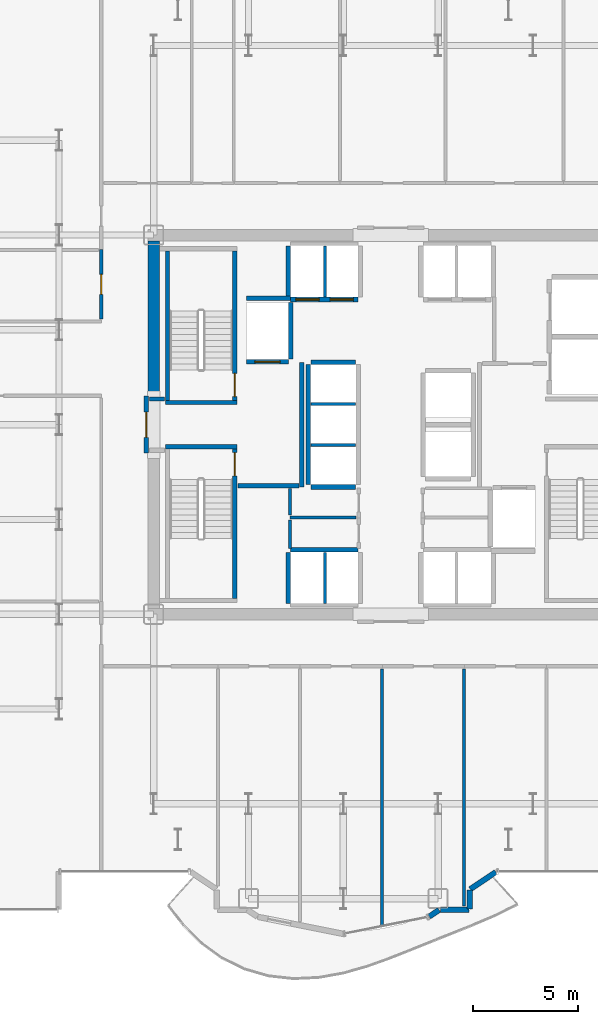
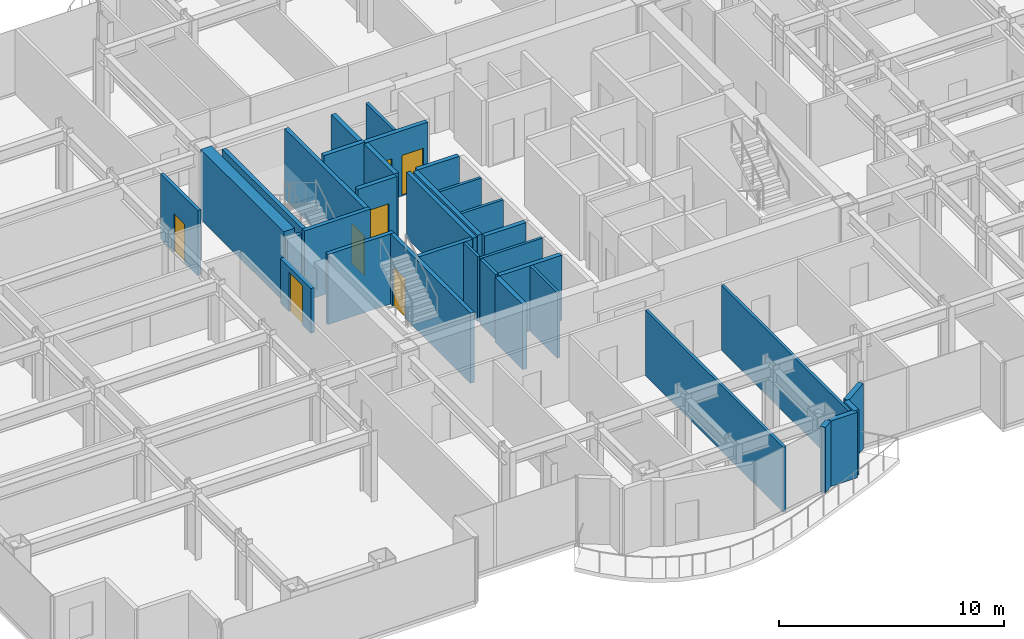
# One storey, part 23 of 29: 34 walls, 7 doors, 7 openings.
"""IFC4 building model written with IfcOpenShell, lengths in metres."""

from ifc_helpers import new_model, si_unit, direction, frame, frame_2d, origin, place, context, subcontext, project, spatial, rectangle, extrude, source, transform, mapped, material, layer, layer_set, type_object, element, fill, save


model = new_model("IFC4")

# Units and contexts
model_context = context("Model", 3, precision=1e-05, world=origin(), true_north=direction((0.0, 1.0)))
body_context = subcontext(model_context, "Body", "Model", "MODEL_VIEW")
ifc_project = project(units=[si_unit("LENGTHUNIT", "METRE"), si_unit("AREAUNIT", "SQUARE_METRE"), si_unit("VOLUMEUNIT", "CUBIC_METRE"), si_unit("PLANEANGLEUNIT", "RADIAN"), si_unit("MASSUNIT", "GRAM", prefix="KILO")], contexts=[model_context])

# Site, building, storey
site_placement = place(None, origin())
site = spatial("IfcSite", under=ifc_project, at=site_placement, CompositionType="ELEMENT")
building_placement = place(site_placement, origin())
building = spatial("IfcBuilding", under=site, at=building_placement, Name="Nefas-Gora Pilgrimage Tower", CompositionType="ELEMENT")
storey_placement = place(building_placement, frame((0.0, 0.0, 90.800048828125)))
storey = spatial("IfcBuildingStorey", under=building, at=storey_placement, Name="L21", CompositionType="ELEMENT", Elevation=90.800048828125)

# Walls
ifc_material_1 = material(Name="Concrete C60/75", Category="concrete")
ifc_layer_1 = layer(ifc_material_1, 0.550048828125)
ifc_layer_set_1 = layer_set([ifc_layer_1], Name="Concrete C60/75")
wall_type_1 = type_object("IfcWallType", Name="SW-CORE-550", PredefinedType="SHEAR", material=ifc_layer_set_1)
shared_shape_1 = source(origin(), body_context, "Body", "SweptSolid", [
    extrude(rectangle(XDim=7.375, YDim=0.550048828125, at=frame_2d((3.6875, 0.0))), origin(), (0.0, 0.0, 1.0), 3.800048828125),
])
wall_1_placement = place(storey_placement, frame((-11.25, 1.35009765625, 0.0), z_axis=(0.0, 0.0, 1.0), x_axis=(0.0, 1.0, 0.0)))
element("IfcWall", 1, at=wall_1_placement, inside=storey, type_object=wall_type_1, Name="L21 Core Shear Wall W-North", PredefinedType="SHEAR", context=body_context, shape_type="MappedRepresentation", body=[
    mapped(shared_shape_1, transform((0.0, 0.0, 0.0), x_axis=(1.0, 0.0, 0.0), y_axis=(0.0, 1.0, 0.0), z_axis=(0.0, 0.0, 1.0), scale=1.0)),
])
ifc_material_2 = material(Name="Precast concrete C40/50", Category="concrete")
ifc_layer_2 = layer(ifc_material_2, 0.260009765625)
ifc_layer_set_2 = layer_set([ifc_layer_2], Name="Precast concrete C40/50")
wall_type_2 = type_object("IfcWallType", Name="EW-PORTAL-260", PredefinedType="SOLIDWALL", material=ifc_layer_set_2)
shared_shape_2 = source(origin(), body_context, "Body", "SweptSolid", [
    extrude(rectangle(XDim=1.468994140625, YDim=0.260009765625, at=frame_2d((0.734375, 0.0))), origin(), (0.0, 0.0, 1.0), 3.550048828125),
])
wall_2_placement = place(storey_placement, frame((3.773193359375, -22.0517578125, 0.0), z_axis=(0.0, 0.0, 1.0), x_axis=(0.831461760506, 0.555581983884, 0.0)))
element("IfcWall", 2, at=wall_2_placement, inside=storey, type_object=wall_type_2, Name="L21 Lobe Shoulder Precast Spandrel Pier 42", PredefinedType="SOLIDWALL", context=body_context, shape_type="MappedRepresentation", body=[
    mapped(shared_shape_2, transform((0.0, 0.0, 0.0), x_axis=(1.0, 0.0, 0.0), y_axis=(0.0, 1.0, 0.0), z_axis=(0.0, 0.0, 1.0), scale=1.0)),
])
shared_shape_3 = source(origin(), body_context, "Body", "SweptSolid", [
    extrude(rectangle(XDim=0.896728515625, YDim=0.260009765625, at=frame_2d((0.4482421875, 0.0))), origin(), (0.0, 0.0, 1.0), 3.550048828125),
])
wall_3_placement = place(storey_placement, frame((3.75, -22.991943359375, 0.0), z_axis=(0.0, 0.0, 1.0), x_axis=(0.0, 1.0, 0.0)))
element("IfcWall", 3, at=wall_3_placement, inside=storey, type_object=wall_type_2, Name="L21 Lobe Shoulder Precast Spandrel Pier 41", PredefinedType="SOLIDWALL", context=body_context, shape_type="MappedRepresentation", body=[
    mapped(shared_shape_3, transform((0.0, 0.0, 0.0), x_axis=(1.0, 0.0, 0.0), y_axis=(0.0, 1.0, 0.0), z_axis=(0.0, 0.0, 1.0), scale=1.0)),
])
shared_shape_4 = source(origin(), body_context, "Body", "SweptSolid", [
    extrude(rectangle(XDim=1.369873046875, YDim=0.260009765625, at=frame_2d((0.68505859375, 0.0))), origin(), (0.0, 0.0, 1.0), 3.550048828125),
])
wall_4_placement = place(storey_placement, frame((2.35205078125, -23.02001953125, 0.0), z_axis=(0.0, 0.0, 1.0), x_axis=(1.0, 0.0, 0.0)))
element("IfcWall", 4, at=wall_4_placement, inside=storey, type_object=wall_type_2, Name="L21 Lobe Shoulder Precast Spandrel Pier 40", PredefinedType="SOLIDWALL", context=body_context, shape_type="MappedRepresentation", body=[
    mapped(shared_shape_4, transform((0.0, 0.0, 0.0), x_axis=(1.0, 0.0, 0.0), y_axis=(0.0, 1.0, 0.0), z_axis=(0.0, 0.0, 1.0), scale=1.0)),
])
shared_shape_5 = source(origin(), body_context, "Body", "SweptSolid", [
    extrude(rectangle(XDim=0.5654296875, YDim=0.260009765625, at=frame_2d((0.28271484375, 0.0))), origin(), (0.0, 0.0, 1.0), 3.550048828125),
])
wall_5_placement = place(storey_placement, frame((1.83056640625, -23.349609375, 0.0), z_axis=(0.0, 0.0, 1.0), x_axis=(0.831651492666, 0.555297933317, 0.0)))
element("IfcWall", 5, at=wall_5_placement, inside=storey, type_object=wall_type_2, Name="L21 Lobe Shoulder Precast Spandrel Pier 39", PredefinedType="SOLIDWALL", context=body_context, shape_type="MappedRepresentation", body=[
    mapped(shared_shape_5, transform((0.0, 0.0, 0.0), x_axis=(1.0, 0.0, 0.0), y_axis=(0.0, 1.0, 0.0), z_axis=(0.0, 0.0, 1.0), scale=1.0)),
])
ifc_material_3 = material(Name="Concrete C45/55", Category="concrete")
ifc_layer_3 = layer(ifc_material_3, 0.199951171875)
ifc_layer_set_3 = layer_set([ifc_layer_3], Name="Concrete C45/55")
wall_type_3 = type_object("IfcWallType", Name="IW-STAIR-200", PredefinedType="SOLIDWALL", material=ifc_layer_set_3)
shared_shape_6 = source(origin(), body_context, "Body", "SweptSolid", [
    extrude(rectangle(XDim=3.39990234375, YDim=0.199951171875, at=frame_2d((1.699951171875, 0.0))), origin(), (0.0, 0.0, 1.0), 3.800048828125),
])
for number, where, z_axis, x_axis, name in (
    (6, (-7.300048828125, 1.050048828125, 0.0), (0.0, 0.0, 1.0), (-1.0, 0.0, 0.0), "L21 Stairwell Shear Wall ST-01-near"),
    (7, (-10.699951171875, -1.050048828125, 0.0), (0.0, 0.0, 1.0), (1.0, 0.0, 0.0), "L21 Stairwell Shear Wall ST-03-near"),
):
    element("IfcWall", number, at=place(storey_placement, frame(where, z_axis=z_axis, x_axis=x_axis)), inside=storey, type_object=wall_type_3, Name=name, PredefinedType="SOLIDWALL", context=body_context, shape_type="MappedRepresentation", body=[
        mapped(shared_shape_6, transform((0.0, 0.0, 0.0), x_axis=(1.0, 0.0, 0.0), y_axis=(0.0, 1.0, 0.0), z_axis=(0.0, 0.0, 1.0), scale=1.0)),
    ])

# Wall, opening, door
shared_shape_7 = source(origin(), body_context, "Body", "SweptSolid", [
    extrude(rectangle(XDim=7.10009765625, YDim=0.199951171875, at=frame_2d((3.550048828125, 0.0))), origin(), (0.0, 0.0, 1.0), 3.800048828125),
])
wall_6_placement = place(storey_placement, frame((-7.39990234375, 1.14990234375, 0.0), z_axis=(0.0, 0.0, 1.0), x_axis=(0.0, 1.0, 0.0)))
wall_6 = element("IfcWall", 8, at=wall_6_placement, inside=storey, type_object=wall_type_3, Name="L21 Stairwell Shear Wall ST-01-left", PredefinedType="SOLIDWALL", context=body_context, shape_type="MappedRepresentation", body=[
    mapped(shared_shape_7, transform((0.0, 0.0, 0.0), x_axis=(1.0, 0.0, 0.0), y_axis=(0.0, 1.0, 0.0), z_axis=(0.0, 0.0, 1.0), scale=1.0)),
])
opening_1_placement = place(wall_6_placement, frame((0.179931640625, 0.0, 0.0)))
opening_1 = element("IfcOpeningElement", 9, at=opening_1_placement, cuts=wall_6, Name="Opening ID-ST1", PredefinedType="OPENING", context=body_context, shape_type="SweptSolid", body=[
    extrude(rectangle(XDim=1.10009765625, YDim=2.14990234375, at=frame_2d((0.550048828125, 1.074951171875))), frame((0.0, 0.10986328125, 0.0), z_axis=(0.0, -1.0, 0.0), x_axis=(1.0, 0.0, 0.0)), (0.0, 0.0, 1.0), 0.219970703125),
])
ifc_material_4 = material(Name="Painted galvanised steel fire stair door", Category="steel")
door_type_1 = type_object("IfcDoorType", Name="DR-INT-STAIR-1100", OperationType="NOTDEFINED", PredefinedType="DOOR", material=ifc_material_4)
shared_shape_8 = source(origin(), body_context, "Body", "SweptSolid", [
    extrude(rectangle(XDim=1.10009765625, YDim=2.14990234375, at=frame_2d((0.550048828125, 1.074951171875))), frame((0.0, 0.02490234375, 0.0), z_axis=(0.0, -1.0, 0.0), x_axis=(1.0, 0.0, 0.0)), (0.0, 0.0, 1.0), 0.050048828125),
])
door_1_placement = place(opening_1_placement, origin())
door_1 = element("IfcDoor", 10, at=door_1_placement, inside=storey, type_object=door_type_1, Name="L21 Protected Exit Stair Door ST-01", OperationType="SINGLE_SWING_LEFT", OverallHeight=2.14990234375, OverallWidth=1.10009765625, PredefinedType="DOOR", context=body_context, shape_type="MappedRepresentation", body=[
    mapped(shared_shape_8, transform((0.0, 0.0, 0.0), x_axis=(1.0, 0.0, 0.0), y_axis=(0.0, 1.0, 0.0), z_axis=(0.0, 0.0, 1.0), scale=1.0)),
])
fill(opening_1, door_1)

# Wall
wall_7_placement = place(storey_placement, frame((-10.60009765625, 1.14990234375, 0.0), z_axis=(0.0, 0.0, 1.0), x_axis=(0.0, 1.0, 0.0)))
element("IfcWall", 11, at=wall_7_placement, inside=storey, type_object=wall_type_3, Name="L21 Stairwell Shear Wall ST-01-right", PredefinedType="SOLIDWALL", context=body_context, shape_type="MappedRepresentation", body=[
    mapped(shared_shape_7, transform((0.0, 0.0, 0.0), x_axis=(1.0, 0.0, 0.0), y_axis=(0.0, 1.0, 0.0), z_axis=(0.0, 0.0, 1.0), scale=1.0)),
])

# Wall, opening, door
wall_8_placement = place(storey_placement, frame((-7.39990234375, -1.14990234375, 0.0), z_axis=(0.0, 0.0, 1.0), x_axis=(0.0, -1.0, 0.0)))
wall_8 = element("IfcWall", 12, at=wall_8_placement, inside=storey, type_object=wall_type_3, Name="L21 Stairwell Shear Wall ST-03-right", PredefinedType="SOLIDWALL", context=body_context, shape_type="MappedRepresentation", body=[
    mapped(shared_shape_7, transform((0.0, 0.0, 0.0), x_axis=(1.0, 0.0, 0.0), y_axis=(0.0, 1.0, 0.0), z_axis=(0.0, 0.0, 1.0), scale=1.0)),
])
opening_2_placement = place(wall_8_placement, frame((0.179931640625, 0.0, 0.0)))
opening_2 = element("IfcOpeningElement", 13, at=opening_2_placement, cuts=wall_8, Name="Opening ID-ST1", PredefinedType="OPENING", context=body_context, shape_type="SweptSolid", body=[
    extrude(rectangle(XDim=1.10009765625, YDim=2.14990234375, at=frame_2d((0.550048828125, 1.074951171875))), frame((0.0, 0.10986328125, 0.0), z_axis=(0.0, -1.0, 0.0), x_axis=(1.0, 0.0, 0.0)), (0.0, 0.0, 1.0), 0.219970703125),
])
door_2_placement = place(opening_2_placement, origin())
door_2 = element("IfcDoor", 14, at=door_2_placement, inside=storey, type_object=door_type_1, Name="L21 Protected Exit Stair Door ST-03", OperationType="SINGLE_SWING_LEFT", OverallHeight=2.14990234375, OverallWidth=1.10009765625, PredefinedType="DOOR", context=body_context, shape_type="MappedRepresentation", body=[
    mapped(shared_shape_8, transform((0.0, 0.0, 0.0), x_axis=(1.0, 0.0, 0.0), y_axis=(0.0, 1.0, 0.0), z_axis=(0.0, 0.0, 1.0), scale=1.0)),
])
fill(opening_2, door_2)

ifc_material_5 = material(Name="Concrete C40/50", Category="concrete")
ifc_layer_4 = layer(ifc_material_5, 0.219970703125)
ifc_layer_set_4 = layer_set([ifc_layer_4], Name="Concrete C40/50")
wall_type_4 = type_object("IfcWallType", Name="IW-SHAFT-220", PredefinedType="SOLIDWALL", material=ifc_layer_set_4)
shared_shape_9 = source(origin(), body_context, "Body", "SweptSolid", [
    extrude(rectangle(XDim=2.0, YDim=0.219970703125, at=frame_2d((1.0, 0.0))), origin(), (0.0, 0.0, 1.0), 3.534912109375),
])
wall_9_placement = place(storey_placement, frame((-6.85009765625, 2.989990234375, 0.0), z_axis=(0.0, 0.0, 1.0), x_axis=(1.0, 0.0, 0.0)))
wall_9 = element("IfcWall", 15, at=wall_9_placement, inside=storey, type_object=wall_type_4, Name="L21 Hoistway Wall FFL-01-S", PredefinedType="SOLIDWALL", context=body_context, shape_type="MappedRepresentation", body=[
    mapped(shared_shape_9, transform((0.0, 0.0, 0.0), x_axis=(1.0, 0.0, 0.0), y_axis=(0.0, 1.0, 0.0), z_axis=(0.0, 0.0, 1.0), scale=1.0)),
])
opening_3_placement = place(wall_9_placement, frame((0.39990234375, 0.0, 0.0)))
opening_3 = element("IfcOpeningElement", 16, at=opening_3_placement, cuts=wall_9, Name="Opening LD-FF", PredefinedType="OPENING", context=body_context, shape_type="SweptSolid", body=[
    extrude(rectangle(XDim=1.199951171875, YDim=2.199951171875, at=frame_2d((0.60009765625, 1.10009765625))), frame((0.0, 0.119873046875, 0.0), z_axis=(0.0, -1.0, 0.0), x_axis=(1.0, 0.0, 0.0)), (0.0, 0.0, 1.0), 0.239990234375),
])
ifc_material_6 = material(Name="Fire-service sliding lift landing door")
door_type_2 = type_object("IfcDoorType", Name="DR-LIFT-FSAE-1200", OperationType="SLIDING_TO_LEFT", PredefinedType="DOOR", material=ifc_material_6)
shared_shape_10 = source(origin(), body_context, "Body", "SweptSolid", [
    extrude(rectangle(XDim=1.199951171875, YDim=2.199951171875, at=frame_2d((0.60009765625, 1.10009765625))), frame((0.0, 0.02490234375, 0.0), z_axis=(0.0, -1.0, 0.0), x_axis=(1.0, 0.0, 0.0)), (0.0, 0.0, 1.0), 0.050048828125),
])
door_3_placement = place(opening_3_placement, origin())
door_3 = element("IfcDoor", 17, at=door_3_placement, inside=storey, type_object=door_type_2, Name="L21 Sliding Lift Landing Door FFL-01", OperationType="SLIDING_TO_LEFT", OverallHeight=2.199951171875, OverallWidth=1.199951171875, PredefinedType="DOOR", context=body_context, shape_type="MappedRepresentation", body=[
    mapped(shared_shape_10, transform((0.0, 0.0, 0.0), x_axis=(1.0, 0.0, 0.0), y_axis=(0.0, 1.0, 0.0), z_axis=(0.0, 0.0, 1.0), scale=1.0)),
])
fill(opening_3, door_3)

# Wall
shared_shape_11 = source(origin(), body_context, "Body", "SweptSolid", [
    extrude(rectangle(XDim=2.679931640625, YDim=0.219970703125, at=frame_2d((1.33984375, 0.0))), origin(), (0.0, 0.0, 1.0), 3.534912109375),
])
wall_10_placement = place(storey_placement, frame((-4.739990234375, 3.110107421875, 0.0), z_axis=(0.0, 0.0, 1.0), x_axis=(0.0, 1.0, 0.0)))
element("IfcWall", 18, at=wall_10_placement, inside=storey, type_object=wall_type_4, Name="L21 Hoistway Wall FFL-01-E", PredefinedType="SOLIDWALL", context=body_context, shape_type="MappedRepresentation", body=[
    mapped(shared_shape_11, transform((0.0, 0.0, 0.0), x_axis=(1.0, 0.0, 0.0), y_axis=(0.0, 1.0, 0.0), z_axis=(0.0, 0.0, 1.0), scale=1.0)),
])

# Wall, openings, doors
shared_shape_12 = source(origin(), body_context, "Body", "SweptSolid", [
    extrude(rectangle(XDim=3.199951171875, YDim=0.219970703125, at=frame_2d((1.60009765625, 0.0))), origin(), (0.0, 0.0, 1.0), 3.534912109375),
])
wall_11_placement = place(storey_placement, frame((-4.75, 5.93994140625, 0.0), z_axis=(0.0, 0.0, 1.0), x_axis=(1.0, 0.0, 0.0)))
wall_11 = element("IfcWall", 19, at=wall_11_placement, inside=storey, type_object=wall_type_4, Name="L21 Hoistway Wall PL1-W-S", PredefinedType="SOLIDWALL", context=body_context, shape_type="MappedRepresentation", body=[
    mapped(shared_shape_12, transform((0.0, 0.0, 0.0), x_axis=(1.0, 0.0, 0.0), y_axis=(0.0, 1.0, 0.0), z_axis=(0.0, 0.0, 1.0), scale=1.0)),
])
opening_4_placement = place(wall_11_placement, frame((0.25, 0.0, 0.0)))
opening_4 = element("IfcOpeningElement", 20, at=opening_4_placement, cuts=wall_11, Name="Opening LD-01", PredefinedType="OPENING", context=body_context, shape_type="SweptSolid", body=[
    extrude(rectangle(XDim=1.10009765625, YDim=2.199951171875, at=frame_2d((0.550048828125, 1.10009765625))), frame((0.0, 0.119873046875, 0.0), z_axis=(0.0, -1.0, 0.0), x_axis=(1.0, 0.0, 0.0)), (0.0, 0.0, 1.0), 0.239990234375),
])
opening_5_placement = place(wall_11_placement, frame((1.875, 0.0, 0.0)))
opening_5 = element("IfcOpeningElement", 21, at=opening_5_placement, cuts=wall_11, Name="Opening LD-01", PredefinedType="OPENING", context=body_context, shape_type="SweptSolid", body=[
    extrude(rectangle(XDim=1.10009765625, YDim=2.199951171875, at=frame_2d((0.550048828125, 1.10009765625))), frame((0.0, 0.119873046875, 0.0), z_axis=(0.0, -1.0, 0.0), x_axis=(1.0, 0.0, 0.0)), (0.0, 0.0, 1.0), 0.239990234375),
])
ifc_material_7 = material(Name="Brushed stainless sliding lift landing door")
door_type_3 = type_object("IfcDoorType", Name="DR-LIFT-PASS-1100", OperationType="DOUBLE_DOOR_SLIDING", PredefinedType="DOOR", material=ifc_material_7)
shared_shape_13 = source(origin(), body_context, "Body", "SweptSolid", [
    extrude(rectangle(XDim=1.10009765625, YDim=2.199951171875, at=frame_2d((0.550048828125, 1.10009765625))), frame((0.0, 0.02490234375, 0.0), z_axis=(0.0, -1.0, 0.0), x_axis=(1.0, 0.0, 0.0)), (0.0, 0.0, 1.0), 0.050048828125),
])
door_4_placement = place(opening_4_placement, origin())
door_4 = element("IfcDoor", 22, at=door_4_placement, inside=storey, type_object=door_type_3, Name="L21 Sliding Lift Landing Door PL1-01", OperationType="DOUBLE_DOOR_SLIDING", OverallHeight=2.199951171875, OverallWidth=1.10009765625, PredefinedType="DOOR", context=body_context, shape_type="MappedRepresentation", body=[
    mapped(shared_shape_13, transform((0.0, 0.0, 0.0), x_axis=(1.0, 0.0, 0.0), y_axis=(0.0, 1.0, 0.0), z_axis=(0.0, 0.0, 1.0), scale=1.0)),
])
fill(opening_4, door_4)
door_5_placement = place(opening_5_placement, origin())
door_5 = element("IfcDoor", 23, at=door_5_placement, inside=storey, type_object=door_type_3, Name="L21 Sliding Lift Landing Door PL1-02", OperationType="DOUBLE_DOOR_SLIDING", OverallHeight=2.199951171875, OverallWidth=1.10009765625, PredefinedType="DOOR", context=body_context, shape_type="MappedRepresentation", body=[
    mapped(shared_shape_13, transform((0.0, 0.0, 0.0), x_axis=(1.0, 0.0, 0.0), y_axis=(0.0, 1.0, 0.0), z_axis=(0.0, 0.0, 1.0), scale=1.0)),
])
fill(opening_5, door_5)

# Walls
wall_12_placement = place(storey_placement, frame((-1.550048828125, -5.93994140625, 0.0), z_axis=(0.0, 0.0, 1.0), x_axis=(-1.0, 0.0, 0.0)))
element("IfcWall", 24, at=wall_12_placement, inside=storey, type_object=wall_type_4, Name="L21 Hoistway Wall PL2-W-N", PredefinedType="SOLIDWALL", context=body_context, shape_type="MappedRepresentation", body=[
    mapped(shared_shape_12, transform((0.0, 0.0, 0.0), x_axis=(1.0, 0.0, 0.0), y_axis=(0.0, 1.0, 0.0), z_axis=(0.0, 0.0, 1.0), scale=1.0)),
])
shared_shape_14 = source(origin(), body_context, "Body", "SweptSolid", [
    extrude(rectangle(XDim=2.429931640625, YDim=0.219970703125, at=frame_2d((1.21484375, 0.0))), origin(), (0.0, 0.0, 1.0), 3.534912109375),
])
for number, where, z_axis, x_axis, name in (
    (25, (-4.860107421875, 8.489990234375, 0.0), (0.0, 0.0, 1.0), (0.0, -1.0, 0.0), "L21 Hoistway Wall PL1-W-W"),
    (26, (-4.860107421875, -6.06005859375, 0.0), (0.0, 0.0, 1.0), (0.0, -1.0, 0.0), "L21 Hoistway Wall PL2-W-W"),
):
    element("IfcWall", number, at=place(storey_placement, frame(where, z_axis=z_axis, x_axis=x_axis)), inside=storey, type_object=wall_type_4, Name=name, PredefinedType="SOLIDWALL", context=body_context, shape_type="MappedRepresentation", body=[
        mapped(shared_shape_14, transform((0.0, 0.0, 0.0), x_axis=(1.0, 0.0, 0.0), y_axis=(0.0, 1.0, 0.0), z_axis=(0.0, 0.0, 1.0), scale=1.0)),
    ])
ifc_material_8 = material(Name="Gypsum twin-stud partition")
ifc_layer_5 = layer(ifc_material_8, 0.139892578125)
ifc_layer_set_5 = layer_set([ifc_layer_5], Name="Gypsum twin-stud partition")
wall_type_5 = type_object("IfcWallType", Name="IW-UNIT-140", PredefinedType="PARTITIONING", material=ifc_layer_set_5)
shared_shape_15 = source(origin(), body_context, "Body", "SweptSolid", [
    extrude(rectangle(XDim=2.429931640625, YDim=0.139892578125, at=frame_2d((1.21484375, 0.0))), origin(), (0.0, 0.0, 1.0), 3.534912109375),
])
for number, where, z_axis, x_axis, name in (
    (27, (-3.125, 6.06005859375, 0.0), (0.0, 0.0, 1.0), (0.0, 1.0, 0.0), "L21 Hoistway Wall PL1-W-DIV"),
    (28, (-3.125, -8.489990234375, 0.0), (0.0, 0.0, 1.0), (0.0, 1.0, 0.0), "L21 Hoistway Wall PL2-W-DIV"),
):
    element("IfcWall", number, at=place(storey_placement, frame(where, z_axis=z_axis, x_axis=x_axis)), inside=storey, type_object=wall_type_5, Name=name, PredefinedType="PARTITIONING", context=body_context, shape_type="MappedRepresentation", body=[
        mapped(shared_shape_15, transform((0.0, 0.0, 0.0), x_axis=(1.0, 0.0, 0.0), y_axis=(0.0, 1.0, 0.0), z_axis=(0.0, 0.0, 1.0), scale=1.0)),
    ])
shared_shape_16 = source(origin(), body_context, "Body", "SweptSolid", [
    extrude(rectangle(XDim=5.7001953125, YDim=0.219970703125, at=frame_2d((2.85009765625, 0.0))), origin(), (0.0, 0.0, 1.0), 3.534912109375),
])
wall_13_placement = place(storey_placement, frame((-3.909912109375, 2.85009765625, 0.0), z_axis=(0.0, 0.0, 1.0), x_axis=(0.0, -1.0, 0.0)))
element("IfcWall", 29, at=wall_13_placement, inside=storey, type_object=wall_type_4, Name="L21 Hoistway Wall PL3-01-03-W", PredefinedType="SOLIDWALL", context=body_context, shape_type="MappedRepresentation", body=[
    mapped(shared_shape_16, transform((0.0, 0.0, 0.0), x_axis=(1.0, 0.0, 0.0), y_axis=(0.0, 1.0, 0.0), z_axis=(0.0, 0.0, 1.0), scale=1.0)),
])
shared_shape_17 = source(origin(), body_context, "Body", "SweptSolid", [
    extrude(rectangle(XDim=2.130126953125, YDim=0.219970703125, at=frame_2d((1.06494140625, 0.0))), origin(), (0.0, 0.0, 1.0), 3.534912109375),
])
for number, where, z_axis, x_axis, name in (
    (30, (-3.7900390625, -2.9599609375, 0.0), (0.0, 0.0, 1.0), (1.0, 0.0, 0.0), "L21 Hoistway Wall PL3-01-S"),
    (31, (-1.659912109375, 2.9599609375, 0.0), (0.0, 0.0, 1.0), (-1.0, 0.0, 0.0), "L21 Hoistway Wall PL3-03-N"),
):
    element("IfcWall", number, at=place(storey_placement, frame(where, z_axis=z_axis, x_axis=x_axis)), inside=storey, type_object=wall_type_4, Name=name, PredefinedType="SOLIDWALL", context=body_context, shape_type="MappedRepresentation", body=[
        mapped(shared_shape_17, transform((0.0, 0.0, 0.0), x_axis=(1.0, 0.0, 0.0), y_axis=(0.0, 1.0, 0.0), z_axis=(0.0, 0.0, 1.0), scale=1.0)),
    ])
shared_shape_18 = source(origin(), body_context, "Body", "SweptSolid", [
    extrude(rectangle(XDim=2.130126953125, YDim=0.139892578125, at=frame_2d((1.06494140625, 0.0))), origin(), (0.0, 0.0, 1.0), 3.534912109375),
])
for number, where, z_axis, x_axis, name in (
    (32, (-3.7900390625, -0.97509765625, 0.0), (0.0, 0.0, 1.0), (1.0, 0.0, 0.0), "L21 Hoistway Wall PL3-01-02-DIV"),
    (33, (-3.7900390625, 0.97509765625, 0.0), (0.0, 0.0, 1.0), (1.0, 0.0, 0.0), "L21 Hoistway Wall PL3-02-03-DIV"),
):
    element("IfcWall", number, at=place(storey_placement, frame(where, z_axis=z_axis, x_axis=x_axis)), inside=storey, type_object=wall_type_5, Name=name, PredefinedType="PARTITIONING", context=body_context, shape_type="MappedRepresentation", body=[
        mapped(shared_shape_18, transform((0.0, 0.0, 0.0), x_axis=(1.0, 0.0, 0.0), y_axis=(0.0, 1.0, 0.0), z_axis=(0.0, 0.0, 1.0), scale=1.0)),
    ])
shared_shape_19 = source(origin(), body_context, "Body", "SweptSolid", [
    extrude(rectangle(XDim=2.09521484375, YDim=0.219970703125, at=frame_2d((1.047607421875, 0.0))), origin(), (0.0, 0.0, 1.0), 3.534912109375),
])
wall_14_placement = place(storey_placement, frame((-6.85009765625, 6.0, 0.0), z_axis=(0.0, 0.0, 1.0), x_axis=(1.0, 0.0, 0.0)))
element("IfcWall", 34, at=wall_14_placement, inside=storey, type_object=wall_type_4, Name="L21 Riser Shaft Wall 1", PredefinedType="SOLIDWALL", context=body_context, shape_type="MappedRepresentation", body=[
    mapped(shared_shape_19, transform((0.0, 0.0, 0.0), x_axis=(1.0, 0.0, 0.0), y_axis=(0.0, 1.0, 0.0), z_axis=(0.0, 0.0, 1.0), scale=1.0)),
])

# Wall, opening, door
ifc_material_9 = material(Name="Gypsum fire-rated shaftwall")
ifc_layer_6 = layer(ifc_material_9, 0.199951171875)
ifc_layer_set_6 = layer_set([ifc_layer_6], Name="Gypsum fire-rated shaftwall")
wall_type_6 = type_object("IfcWallType", Name="IW-FFLOB-200", PredefinedType="PARTITIONING", material=ifc_layer_set_6)
shared_shape_20 = source(origin(), body_context, "Body", "SweptSolid", [
    extrude(rectangle(XDim=2.7001953125, YDim=0.199951171875, at=frame_2d((1.35009765625, 0.0))), origin(), (0.0, 0.0, 1.0), 2.425048828125),
])
wall_15_placement = place(storey_placement, frame((-11.60009765625, -1.35009765625, 0.0), z_axis=(0.0, 0.0, 1.0), x_axis=(0.0, 1.0, 0.0)))
wall_15 = element("IfcWall", 35, at=wall_15_placement, inside=storey, type_object=wall_type_6, Name="L21 FF Lobby West Portal Wall 3", PredefinedType="PARTITIONING", context=body_context, shape_type="MappedRepresentation", body=[
    mapped(shared_shape_20, transform((0.0, 0.0, 0.0), x_axis=(1.0, 0.0, 0.0), y_axis=(0.0, 1.0, 0.0), z_axis=(0.0, 0.0, 1.0), scale=1.0)),
])
opening_6_placement = place(wall_15_placement, frame((0.75, 0.0, 0.0)))
opening_6 = element("IfcOpeningElement", 36, at=opening_6_placement, cuts=wall_15, Name="Opening ID-FF1", PredefinedType="OPENING", context=body_context, shape_type="SweptSolid", body=[
    extrude(rectangle(XDim=1.199951171875, YDim=2.14990234375, at=frame_2d((0.60009765625, 1.074951171875))), frame((0.0, 0.10986328125, 0.0), z_axis=(0.0, -1.0, 0.0), x_axis=(1.0, 0.0, 0.0)), (0.0, 0.0, 1.0), 0.219970703125),
])
ifc_material_10 = material(Name="Smoke-sealed steel firefighting lobby door", Category="steel")
door_type_4 = type_object("IfcDoorType", Name="DR-INT-FFLOB-1200", OperationType="NOTDEFINED", PredefinedType="DOOR", material=ifc_material_10)
shared_shape_21 = source(origin(), body_context, "Body", "SweptSolid", [
    extrude(rectangle(XDim=1.199951171875, YDim=2.14990234375, at=frame_2d((0.60009765625, 1.074951171875))), frame((0.0, 0.02490234375, 0.0), z_axis=(0.0, -1.0, 0.0), x_axis=(1.0, 0.0, 0.0)), (0.0, 0.0, 1.0), 0.050048828125),
])
door_6_placement = place(opening_6_placement, origin())
door_6 = element("IfcDoor", 37, at=door_6_placement, inside=storey, type_object=door_type_4, Name="L21 FF Lobby West Portal Door 1", OperationType="SINGLE_SWING_RIGHT", OverallHeight=2.14990234375, OverallWidth=1.199951171875, PredefinedType="DOOR", context=body_context, shape_type="MappedRepresentation", body=[
    mapped(shared_shape_21, transform((0.0, 0.0, 0.0), x_axis=(1.0, 0.0, 0.0), y_axis=(0.0, 1.0, 0.0), z_axis=(0.0, 0.0, 1.0), scale=1.0)),
])
fill(opening_6, door_6)

# Walls
shared_shape_22 = source(origin(), body_context, "Body", "SweptSolid", [
    extrude(rectangle(XDim=5.89990234375, YDim=0.199951171875, at=frame_2d((2.949951171875, 0.0))), origin(), (0.0, 0.0, 1.0), 3.534912109375),
])
wall_16_placement = place(storey_placement, frame((-4.219970703125, -2.949951171875, 0.0), z_axis=(0.0, 0.0, 1.0), x_axis=(0.0, 1.0, 0.0)))
element("IfcWall", 38, at=wall_16_placement, inside=storey, type_object=wall_type_6, Name="L21 FF Lobby West Inner Wall Wall 4", PredefinedType="PARTITIONING", context=body_context, shape_type="MappedRepresentation", body=[
    mapped(shared_shape_22, transform((0.0, 0.0, 0.0), x_axis=(1.0, 0.0, 0.0), y_axis=(0.0, 1.0, 0.0), z_axis=(0.0, 0.0, 1.0), scale=1.0)),
])
shared_shape_23 = source(origin(), body_context, "Body", "SweptSolid", [
    extrude(rectangle(XDim=2.89990234375, YDim=0.199951171875, at=frame_2d((1.449951171875, 0.0))), origin(), (0.0, 0.0, 1.0), 3.534912109375),
])
wall_17_placement = place(storey_placement, frame((-7.260009765625, -2.89990234375, 0.0), z_axis=(0.0, 0.0, 1.0), x_axis=(1.0, 0.0, 0.0)))
element("IfcWall", 39, at=wall_17_placement, inside=storey, type_object=wall_type_6, Name="L21 FF Lobby West South Wall Wall 5", PredefinedType="PARTITIONING", context=body_context, shape_type="MappedRepresentation", body=[
    mapped(shared_shape_23, transform((0.0, 0.0, 0.0), x_axis=(1.0, 0.0, 0.0), y_axis=(0.0, 1.0, 0.0), z_axis=(0.0, 0.0, 1.0), scale=1.0)),
])
shared_shape_24 = source(origin(), body_context, "Body", "SweptSolid", [
    extrude(rectangle(XDim=0.719970703125, YDim=0.199951171875, at=frame_2d((0.35986328125, 0.0))), origin(), (0.0, 0.0, 1.0), 3.534912109375),
])
wall_18_placement = place(storey_placement, frame((-11.4599609375, 1.219970703125, 0.0), z_axis=(0.0, 0.0, 1.0), x_axis=(1.0, 0.0, 0.0)))
element("IfcWall", 40, at=wall_18_placement, inside=storey, type_object=wall_type_6, Name="L21 FF Lobby West Throat N Wall 6", PredefinedType="PARTITIONING", context=body_context, shape_type="MappedRepresentation", body=[
    mapped(shared_shape_24, transform((0.0, 0.0, 0.0), x_axis=(1.0, 0.0, 0.0), y_axis=(0.0, 1.0, 0.0), z_axis=(0.0, 0.0, 1.0), scale=1.0)),
])
shared_shape_25 = source(origin(), body_context, "Body", "SweptSolid", [
    extrude(rectangle(XDim=3.150146484375, YDim=0.139892578125, at=frame_2d((1.5751953125, 0.0))), origin(), (0.0, 0.0, 1.0), 3.534912109375),
])
wall_19_placement = place(storey_placement, frame((-4.7900390625, -4.409912109375, 0.0), z_axis=(0.0, 0.0, 1.0), x_axis=(1.0, 0.0, 0.0)))
element("IfcWall", 41, at=wall_19_placement, inside=storey, type_object=wall_type_5, Name="L21 Housekeeping and Linen Store Partition Wall 17", PredefinedType="PARTITIONING", context=body_context, shape_type="MappedRepresentation", body=[
    mapped(shared_shape_25, transform((0.0, 0.0, 0.0), x_axis=(1.0, 0.0, 0.0), y_axis=(0.0, 1.0, 0.0), z_axis=(0.0, 0.0, 1.0), scale=1.0)),
])
shared_shape_26 = source(origin(), body_context, "Body", "SweptSolid", [
    extrude(rectangle(XDim=1.260009765625, YDim=0.139892578125, at=frame_2d((0.6298828125, 0.0))), origin(), (0.0, 0.0, 1.0), 3.534912109375),
])
wall_20_placement = place(storey_placement, frame((-4.780029296875, -4.300048828125, 0.0), z_axis=(0.0, 0.0, 1.0), x_axis=(0.0, 1.0, 0.0)))
element("IfcWall", 42, at=wall_20_placement, inside=storey, type_object=wall_type_5, Name="L21 Housekeeping and Linen Store Partition Wall 18", PredefinedType="PARTITIONING", context=body_context, shape_type="MappedRepresentation", body=[
    mapped(shared_shape_26, transform((0.0, 0.0, 0.0), x_axis=(1.0, 0.0, 0.0), y_axis=(0.0, 1.0, 0.0), z_axis=(0.0, 0.0, 1.0), scale=1.0)),
])
shared_shape_27 = source(origin(), body_context, "Body", "SweptSolid", [
    extrude(rectangle(XDim=1.369873046875, YDim=0.139892578125, at=frame_2d((0.68505859375, 0.0))), origin(), (0.0, 0.0, 1.0), 3.534912109375),
])
wall_21_placement = place(storey_placement, frame((-4.780029296875, -5.889892578125, 0.0), z_axis=(0.0, 0.0, 1.0), x_axis=(0.0, 1.0, 0.0)))
element("IfcWall", 43, at=wall_21_placement, inside=storey, type_object=wall_type_5, Name="L21 Guest Self-Service Laundry Room Partition Wall 20", PredefinedType="PARTITIONING", context=body_context, shape_type="MappedRepresentation", body=[
    mapped(shared_shape_27, transform((0.0, 0.0, 0.0), x_axis=(1.0, 0.0, 0.0), y_axis=(0.0, 1.0, 0.0), z_axis=(0.0, 0.0, 1.0), scale=1.0)),
])

# Wall, opening, door
ifc_material_11 = material(Name="Gypsum acoustic stud partition")
ifc_layer_7 = layer(ifc_material_11, 0.159912109375)
ifc_layer_set_7 = layer_set([ifc_layer_7], Name="Gypsum acoustic stud partition")
wall_type_7 = type_object("IfcWallType", Name="IW-CORR-160", PredefinedType="PARTITIONING", material=ifc_layer_set_7)
shared_shape_28 = source(origin(), body_context, "Body", "SweptSolid", [
    extrude(rectangle(XDim=3.300048828125, YDim=0.159912109375, at=frame_2d((1.64990234375, 0.0))), origin(), (0.0, 0.0, 1.0), 3.534912109375),
])
wall_22_placement = place(storey_placement, frame((-13.739990234375, 5.0048828125, 0.0), z_axis=(0.0, 0.0, 1.0), x_axis=(0.0, 1.0, 0.0)))
wall_22 = element("IfcWall", 44, at=wall_22_placement, inside=storey, type_object=wall_type_7, Name="L21 Pilgrim Tea and Beverage Pantry Partition Wall 35", PredefinedType="PARTITIONING", context=body_context, shape_type="MappedRepresentation", body=[
    mapped(shared_shape_28, transform((0.0, 0.0, 0.0), x_axis=(1.0, 0.0, 0.0), y_axis=(0.0, 1.0, 0.0), z_axis=(0.0, 0.0, 1.0), scale=1.0)),
])
opening_7_placement = place(wall_22_placement, frame((1.175048828125, 0.0, 0.0)))
opening_7 = element("IfcOpeningElement", 45, at=opening_7_placement, cuts=wall_22, Name="Opening ID-GR1", PredefinedType="OPENING", context=body_context, shape_type="SweptSolid", body=[
    extrude(rectangle(XDim=0.949951171875, YDim=2.10009765625, at=frame_2d((0.47509765625, 1.050048828125))), frame((0.0, 0.08984375, 0.0), z_axis=(0.0, -1.0, 0.0), x_axis=(1.0, 0.0, 0.0)), (0.0, 0.0, 1.0), 0.179931640625),
])
ifc_material_12 = material(Name="Solid core oak fire-rated guest entrance door")
door_type_5 = type_object("IfcDoorType", Name="DR-INT-GUEST-950", OperationType="NOTDEFINED", PredefinedType="DOOR", material=ifc_material_12)
shared_shape_29 = source(origin(), body_context, "Body", "SweptSolid", [
    extrude(rectangle(XDim=0.949951171875, YDim=2.10009765625, at=frame_2d((0.47509765625, 1.050048828125))), frame((0.0, 0.02490234375, 0.0), z_axis=(0.0, -1.0, 0.0), x_axis=(1.0, 0.0, 0.0)), (0.0, 0.0, 1.0), 0.050048828125),
])
door_7_placement = place(opening_7_placement, origin())
door_7 = element("IfcDoor", 46, at=door_7_placement, inside=storey, type_object=door_type_5, Name="L21 Pilgrim Tea and Beverage Pantry Door 14", OperationType="SINGLE_SWING_LEFT", OverallHeight=2.10009765625, OverallWidth=0.949951171875, PredefinedType="DOOR", context=body_context, shape_type="MappedRepresentation", body=[
    mapped(shared_shape_29, transform((0.0, 0.0, 0.0), x_axis=(1.0, 0.0, 0.0), y_axis=(0.0, 1.0, 0.0), z_axis=(0.0, 0.0, 1.0), scale=1.0)),
])
fill(opening_7, door_7)

# Walls
shared_shape_30 = source(origin(), body_context, "Body", "SweptSolid", [
    extrude(rectangle(XDim=12.235595703125, YDim=0.139892578125, at=frame_2d((6.11767578125, 0.0))), origin(), (0.0, 0.0, 1.0), 3.534912109375),
])
wall_23_placement = place(storey_placement, frame((-0.405029296875, -23.82568359375, 0.0), z_axis=(0.0, 0.0, 1.0), x_axis=(0.0, 1.0, 0.0)))
element("IfcWall", 47, at=wall_23_placement, inside=storey, type_object=wall_type_5, Name="L21 Pilgrim Contemplative Lounge Partition Wall 61", PredefinedType="PARTITIONING", context=body_context, shape_type="MappedRepresentation", body=[
    mapped(shared_shape_30, transform((0.0, 0.0, 0.0), x_axis=(1.0, 0.0, 0.0), y_axis=(0.0, 1.0, 0.0), z_axis=(0.0, 0.0, 1.0), scale=1.0)),
])
shared_shape_31 = source(origin(), body_context, "Body", "SweptSolid", [
    extrude(rectangle(XDim=11.260009765625, YDim=0.139892578125, at=frame_2d((5.6298828125, 0.0))), origin(), (0.0, 0.0, 1.0), 3.534912109375),
])
wall_24_placement = place(storey_placement, frame((3.489990234375, -22.85009765625, 0.0), z_axis=(0.0, 0.0, 1.0), x_axis=(0.0, 1.0, 0.0)))
element("IfcWall", 48, at=wall_24_placement, inside=storey, type_object=wall_type_5, Name="L21 Pilgrim Contemplative Lounge Partition Wall 63", PredefinedType="PARTITIONING", context=body_context, shape_type="MappedRepresentation", body=[
    mapped(shared_shape_31, transform((0.0, 0.0, 0.0), x_axis=(1.0, 0.0, 0.0), y_axis=(0.0, 1.0, 0.0), z_axis=(0.0, 0.0, 1.0), scale=1.0)),
])

save(model, "model.ifc")
